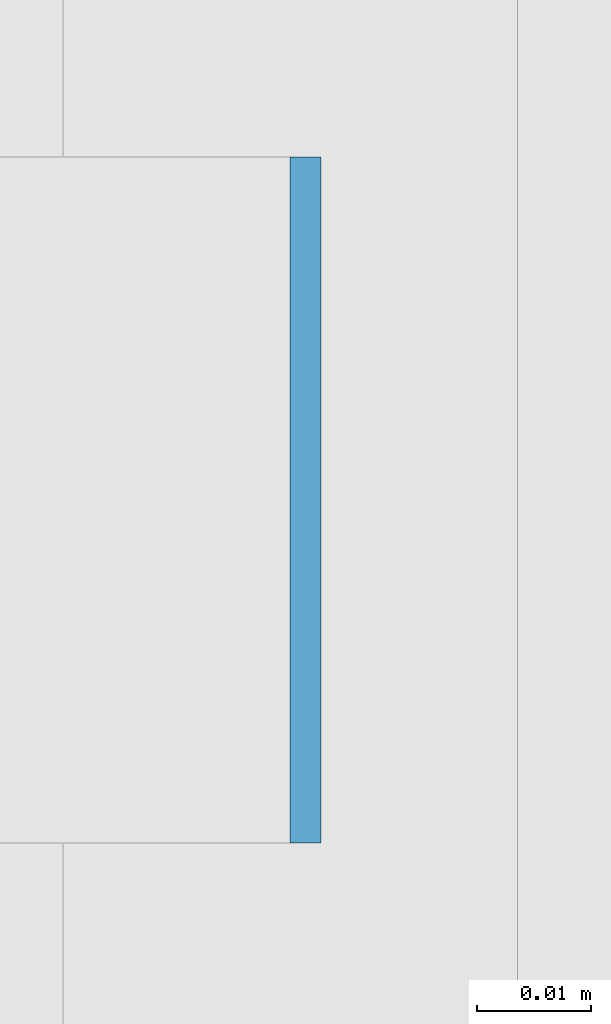
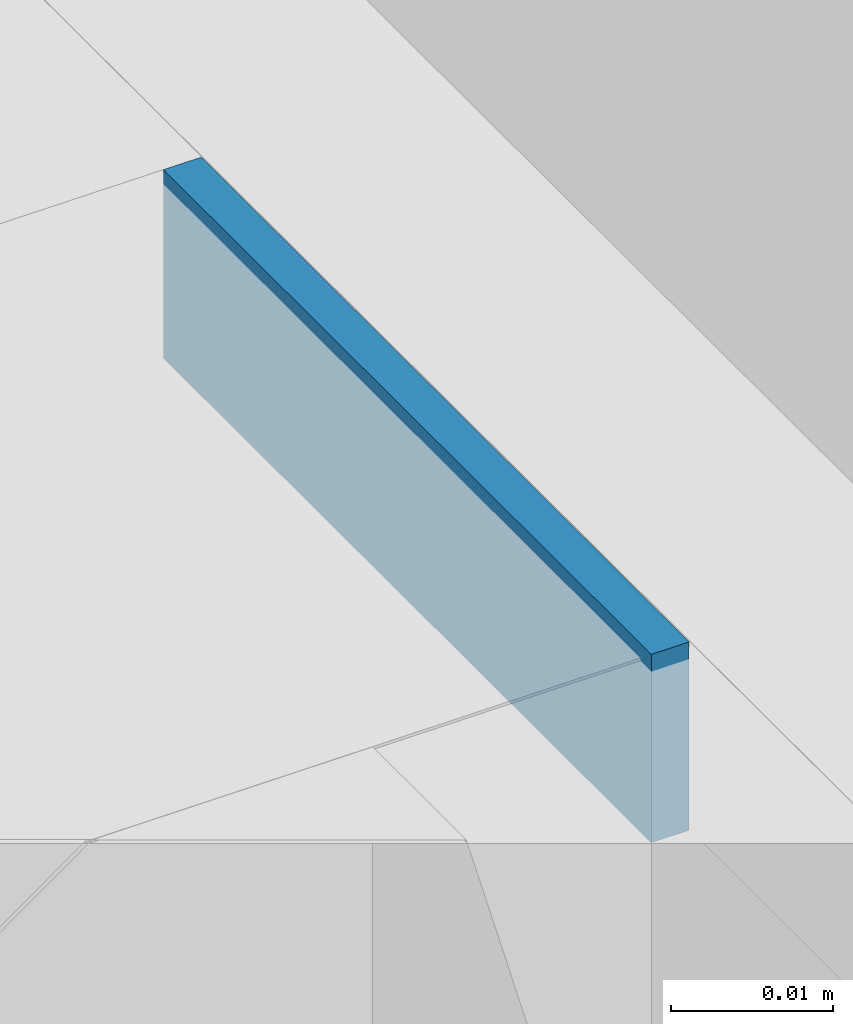
# One storey, part 287 of 646: 1 discrete accessory.
"""IFC4 building model written with IfcOpenShell, lengths in metres."""

from ifc_helpers import new_model, si_unit, direction, frame, origin, origin_2d, place, context, subcontext, project, spatial, rectangle, extrude, material, type_object, element, save


model = new_model("IFC4")

# Units and contexts
model_context = context("Model", 3, precision=1e-05, world=origin(), true_north=direction((0.0, 1.0)))
body_context = subcontext(model_context, "Body", "Model", "MODEL_VIEW")
ifc_project = project(units=[si_unit("LENGTHUNIT", "METRE"), si_unit("AREAUNIT", "SQUARE_METRE"), si_unit("VOLUMEUNIT", "CUBIC_METRE"), si_unit("PLANEANGLEUNIT", "RADIAN"), si_unit("MASSUNIT", "GRAM", prefix="KILO")], contexts=[model_context])

# Site, building, storey
site_placement = place(None, origin())
site = spatial("IfcSite", under=ifc_project, at=site_placement, CompositionType="ELEMENT")
building_placement = place(site_placement, origin())
building = spatial("IfcBuilding", under=site, at=building_placement, Name="Silverbay Arena", CompositionType="ELEMENT")
storey_placement = place(building_placement, frame((0.0, 0.0, 33.5)))
storey = spatial("IfcBuildingStorey", under=building, at=storey_placement, Name="L05", CompositionType="ELEMENT", Elevation=33.5)

# Discrete accessory
ifc_material = material(Name="Steel S355", Category="steel")
discrete_accessory_type = type_object("IfcDiscreteAccessoryType", Name="Steel bracket plate", PredefinedType="BRACKET", material=ifc_material)
discrete_accessory_placement = place(storey_placement, frame((53.871337890625, 55.28564453125, 12.98583984375), z_axis=(0.0, 0.0, 1.0), x_axis=(1.0, 0.0, 0.0)))
element("IfcDiscreteAccessory", 1, at=discrete_accessory_placement, inside=storey, type_object=discrete_accessory_type, Name="Curtain wall packing plate", PredefinedType="BRACKET", context=body_context, shape_type="SweptSolid", body=[
    extrude(rectangle(XDim=0.002685546875, YDim=0.06005859375, at=origin_2d()), origin(), (0.0, 0.0, 1.0), 0.01416015625),
])

save(model, "model.ifc")
